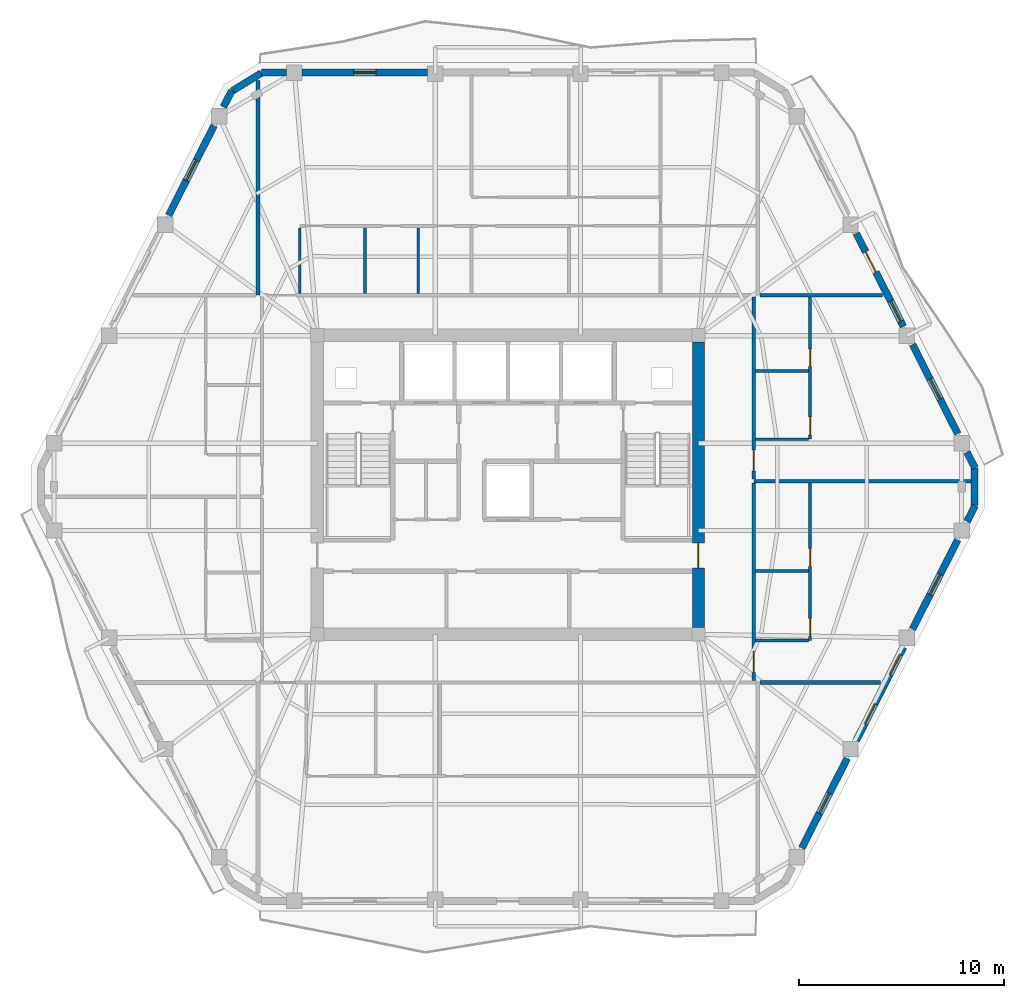
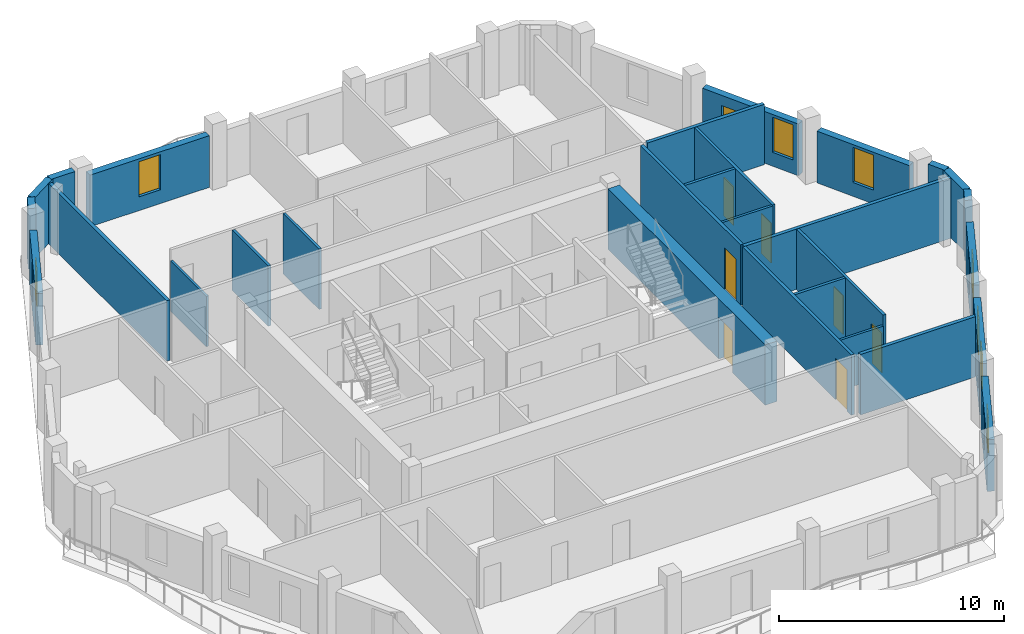
# One storey, part 6 of 10: 29 walls, 8 doors, 8 windows, 16 openings.
"""IFC4 building model written with IfcOpenShell, lengths in metres."""

from ifc_helpers import new_model, si_unit, direction, frame, frame_2d, origin, place, context, subcontext, project, spatial, rectangle, extrude, material, layer, layer_set, type_object, element, fill, save


model = new_model("IFC4")

# Units and contexts
model_context = context("Model", 3, precision=1e-05, world=origin(), true_north=direction((0.0, 1.0)))
body_context = subcontext(model_context, "Body", "Model", "MODEL_VIEW")
ifc_project = project(units=[si_unit("LENGTHUNIT", "METRE"), si_unit("AREAUNIT", "SQUARE_METRE"), si_unit("VOLUMEUNIT", "CUBIC_METRE"), si_unit("PLANEANGLEUNIT", "RADIAN"), si_unit("MASSUNIT", "GRAM", prefix="KILO")], contexts=[model_context])

# Site, building, storey
site_placement = place(None, origin())
site = spatial("IfcSite", under=ifc_project, at=site_placement, CompositionType="ELEMENT")
building_placement = place(site_placement, origin())
building = spatial("IfcBuilding", under=site, at=building_placement, Name="Cinnabar Lancet Tower", CompositionType="ELEMENT")
storey_placement = place(building_placement, frame((0.0, 0.0, 218.050048828125)))
storey = spatial("IfcBuildingStorey", under=building, at=storey_placement, Name="L58", CompositionType="ELEMENT", Elevation=218.050048828125)

# Wall, opening, door
ifc_material_1 = material(Name="Acoustic twin-stud gypsum partition", Category="gypsum")
ifc_layer_1 = layer(ifc_material_1, 0.159912109375)
ifc_layer_set_1 = layer_set([ifc_layer_1], Name="Acoustic twin-stud gypsum partition")
wall_type_1 = type_object("IfcWallType", Name="ARC-WL-CORR-160", PredefinedType="PARTITIONING", material=ifc_layer_set_1)
wall_1_placement = place(storey_placement, frame((44.39990234375, 16.344970703125, 0.0), z_axis=(0.0, 0.0, 1.0), x_axis=(0.0, 1.0, 0.0)))
wall_1 = element("IfcWall", 1, at=wall_1_placement, inside=storey, type_object=wall_type_1, Name="UW-L58-E01-COR", PredefinedType="PARTITIONING", context=body_context, shape_type="SweptSolid", body=[
    extrude(rectangle(XDim=9.637939453125, YDim=0.159912109375, at=frame_2d((4.81884765625, 0.0))), origin(), (0.0, 0.0, 1.0), 3.27001953125),
])
opening_1_placement = place(wall_1_placement, frame((0.39990234375, 0.0, 0.0)))
opening_1 = element("IfcOpeningElement", 2, at=opening_1_placement, cuts=wall_1, Name="Opening UD-01", PredefinedType="OPENING", context=body_context, shape_type="SweptSolid", body=[
    extrude(rectangle(XDim=1.02001953125, YDim=2.25, at=frame_2d((0.510009765625, 1.125))), frame((0.0, 0.08984375, 0.0), z_axis=(0.0, -1.0, 0.0), x_axis=(1.0, 0.0, 0.0)), (0.0, 0.0, 1.0), 0.179931640625),
])
ifc_material_2 = material(Name="Solid timber fire-rated apartment entrance door", Category="wood")
door_type_1 = type_object("IfcDoorType", Name="ARC-DR-UNIT", OperationType="NOTDEFINED", PredefinedType="DOOR", material=ifc_material_2)
door_1_placement = place(opening_1_placement, origin())
door_1 = element("IfcDoor", 3, at=door_1_placement, inside=storey, type_object=door_type_1, Name="DR-L58-E01-ENT", OperationType="SINGLE_SWING_RIGHT", OverallHeight=2.25, OverallWidth=1.02001953125, PredefinedType="DOOR", context=body_context, shape_type="SweptSolid", body=[
    extrude(rectangle(XDim=1.02001953125, YDim=2.25, at=frame_2d((0.510009765625, 1.125))), frame((0.0, 0.02490234375, 0.0), z_axis=(0.0, -1.0, 0.0), x_axis=(1.0, 0.0, 0.0)), (0.0, 0.0, 1.0), 0.050048828125),
])
fill(opening_1, door_1)

wall_2_placement = place(storey_placement, frame((44.39990234375, 26.173095703125, 0.0), z_axis=(0.0, 0.0, 1.0), x_axis=(0.0, 1.0, 0.0)))
wall_2 = element("IfcWall", 4, at=wall_2_placement, inside=storey, type_object=wall_type_1, Name="UW-L58-E02-COR", PredefinedType="PARTITIONING", context=body_context, shape_type="SweptSolid", body=[
    extrude(rectangle(XDim=8.8818359375, YDim=0.159912109375, at=frame_2d((4.44091796875, 0.0))), origin(), (0.0, 0.0, 1.0), 3.27001953125),
])
opening_2_placement = place(wall_2_placement, frame((0.39990234375, 0.0, 0.0)))
opening_2 = element("IfcOpeningElement", 5, at=opening_2_placement, cuts=wall_2, Name="Opening UD-01", PredefinedType="OPENING", context=body_context, shape_type="SweptSolid", body=[
    extrude(rectangle(XDim=1.02001953125, YDim=2.25, at=frame_2d((0.510009765625, 1.125))), frame((0.0, 0.08984375, 0.0), z_axis=(0.0, -1.0, 0.0), x_axis=(1.0, 0.0, 0.0)), (0.0, 0.0, 1.0), 0.179931640625),
])
door_2_placement = place(opening_2_placement, origin())
door_2 = element("IfcDoor", 6, at=door_2_placement, inside=storey, type_object=door_type_1, Name="DR-L58-E02-ENT", OperationType="SINGLE_SWING_LEFT", OverallHeight=2.25, OverallWidth=1.02001953125, PredefinedType="DOOR", context=body_context, shape_type="SweptSolid", body=[
    extrude(rectangle(XDim=1.02001953125, YDim=2.25, at=frame_2d((0.510009765625, 1.125))), frame((0.0, 0.02490234375, 0.0), z_axis=(0.0, -1.0, 0.0), x_axis=(1.0, 0.0, 0.0)), (0.0, 0.0, 1.0), 0.050048828125),
])
fill(opening_2, door_2)

# Walls
ifc_material_3 = material(Name="Fire-rated twin-frame acoustic drywall", Category="gypsum")
ifc_layer_2 = layer(ifc_material_3, 0.179931640625)
ifc_layer_set_2 = layer_set([ifc_layer_2], Name="Fire-rated twin-frame acoustic drywall")
wall_type_2 = type_object("IfcWallType", Name="ARC-WL-PARTY-180", PredefinedType="PARTITIONING", material=ifc_layer_set_2)
wall_3_placement = place(storey_placement, frame((20.199951171875, 35.14990234375, 0.0), z_axis=(0.0, 0.0, 1.0), x_axis=(0.0, 1.0, 0.0)))
element("IfcWall", 7, at=wall_3_placement, inside=storey, type_object=wall_type_2, Name="PW-L58-NPTY-202", PredefinedType="PARTITIONING", context=body_context, shape_type="SweptSolid", body=[
    extrude(rectangle(XDim=10.482177734375, YDim=0.179931640625, at=frame_2d((5.2412109375, 0.0))), origin(), (0.0, 0.0, 1.0), 3.27001953125),
])
wall_4_placement = place(storey_placement, frame((44.695068359375, 16.25, 0.0), z_axis=(0.0, 0.0, 1.0), x_axis=(1.0, 0.0, 0.0)))
element("IfcWall", 8, at=wall_4_placement, inside=storey, type_object=wall_type_2, Name="PW-L58-ESB", PredefinedType="PARTITIONING", context=body_context, shape_type="SweptSolid", body=[
    extrude(rectangle(XDim=5.89404296875, YDim=0.179931640625, at=frame_2d((2.947021484375, 0.0))), origin(), (0.0, 0.0, 1.0), 3.27001953125),
])
wall_5_placement = place(storey_placement, frame((44.695068359375, 35.14990234375, 0.0), z_axis=(0.0, 0.0, 1.0), x_axis=(1.0, 0.0, 0.0)))
element("IfcWall", 9, at=wall_5_placement, inside=storey, type_object=wall_type_2, Name="PW-L58-ENB", PredefinedType="PARTITIONING", context=body_context, shape_type="SweptSolid", body=[
    extrude(rectangle(XDim=5.994873046875, YDim=0.179931640625, at=frame_2d((2.99755859375, 0.0))), origin(), (0.0, 0.0, 1.0), 3.27001953125),
])
wall_6_placement = place(storey_placement, frame((44.39990234375, 26.077880859375, 0.0), z_axis=(0.0, 0.0, 1.0), x_axis=(1.0, 0.0, 0.0)))
element("IfcWall", 10, at=wall_6_placement, inside=storey, type_object=wall_type_2, Name="PW-L58-EPTY-1", PredefinedType="PARTITIONING", context=body_context, shape_type="SweptSolid", body=[
    extrude(rectangle(XDim=10.60302734375, YDim=0.179931640625, at=frame_2d((5.301513671875, 0.0))), origin(), (0.0, 0.0, 1.0), 3.27001953125),
])
ifc_material_4 = material(Name="Gypsum plasterboard stud partition", Category="gypsum")
ifc_layer_3 = layer(ifc_material_4, 0.125)
ifc_layer_set_3 = layer_set([ifc_layer_3], Name="Gypsum plasterboard stud partition")
wall_type_3 = type_object("IfcWallType", Name="ARC-WL-UNIT-125", PredefinedType="PARTITIONING", material=ifc_layer_set_3)
wall_7_placement = place(storey_placement, frame((22.25, 35.235107421875, 0.0), z_axis=(0.0, 0.0, 1.0), x_axis=(0.0, 1.0, 0.0)))
element("IfcWall", 11, at=wall_7_placement, inside=storey, type_object=wall_type_3, Name="UW-L58-N01-FOYE", PredefinedType="PARTITIONING", context=body_context, shape_type="SweptSolid", body=[
    extrude(rectangle(XDim=3.19384765625, YDim=0.125, at=frame_2d((1.596923828125, 0.0))), origin(), (0.0, 0.0, 1.0), 2.72705078125),
])
wall_8_placement = place(storey_placement, frame((28.027099609375, 35.235107421875, 0.0), z_axis=(0.0, 0.0, 1.0), x_axis=(0.0, 1.0, 0.0)))
element("IfcWall", 12, at=wall_8_placement, inside=storey, type_object=wall_type_3, Name="UW-L58-N01-STD", PredefinedType="PARTITIONING", context=body_context, shape_type="SweptSolid", body=[
    extrude(rectangle(XDim=3.19384765625, YDim=0.125, at=frame_2d((1.596923828125, 0.0))), origin(), (0.0, 0.0, 1.0), 3.27001953125),
])
wall_9_placement = place(storey_placement, frame((44.485107421875, 18.300048828125, 0.0), z_axis=(0.0, 0.0, 1.0), x_axis=(1.0, 0.0, 0.0)))
element("IfcWall", 13, at=wall_9_placement, inside=storey, type_object=wall_type_3, Name="UW-L58-E01-FOYN", PredefinedType="PARTITIONING", context=body_context, shape_type="SweptSolid", body=[
    extrude(rectangle(XDim=2.579833984375, YDim=0.125, at=frame_2d((1.2900390625, 0.0))), origin(), (0.0, 0.0, 1.0), 2.72705078125),
])
wall_10_placement = place(storey_placement, frame((44.485107421875, 28.1279296875, 0.0), z_axis=(0.0, 0.0, 1.0), x_axis=(1.0, 0.0, 0.0)))
element("IfcWall", 14, at=wall_10_placement, inside=storey, type_object=wall_type_3, Name="UW-L58-E02-FOYN", PredefinedType="PARTITIONING", context=body_context, shape_type="SweptSolid", body=[
    extrude(rectangle(XDim=2.579833984375, YDim=0.125, at=frame_2d((1.2900390625, 0.0))), origin(), (0.0, 0.0, 1.0), 3.27001953125),
])
ifc_material_5 = material(Name="Moisture-resistant cement-board plumbing wall", Category="masonry")
ifc_layer_4 = layer(ifc_material_5, 0.139892578125)
ifc_layer_set_4 = layer_set([ifc_layer_4], Name="Moisture-resistant cement-board plumbing wall")
wall_type_4 = type_object("IfcWallType", Name="ARC-WL-WET-140", PredefinedType="PLUMBINGWALL", material=ifc_layer_set_4)
wall_11_placement = place(storey_placement, frame((25.430908203125, 35.235107421875, 0.0), z_axis=(0.0, 0.0, 1.0), x_axis=(0.0, 1.0, 0.0)))
element("IfcWall", 15, at=wall_11_placement, inside=storey, type_object=wall_type_4, Name="UW-L58-N01-KDV", PredefinedType="PLUMBINGWALL", context=body_context, shape_type="SweptSolid", body=[
    extrude(rectangle(XDim=3.19384765625, YDim=0.139892578125, at=frame_2d((1.596923828125, 0.0))), origin(), (0.0, 0.0, 1.0), 3.27001953125),
])

# Wall, openings, doors
wall_12_placement = place(storey_placement, frame((47.14990234375, 18.300048828125, 0.0), z_axis=(0.0, 0.0, 1.0), x_axis=(0.0, 1.0, 0.0)))
wall_12 = element("IfcWall", 16, at=wall_12_placement, inside=storey, type_object=wall_type_4, Name="UW-L58-E01-SPL", PredefinedType="PLUMBINGWALL", context=body_context, shape_type="SweptSolid", body=[
    extrude(rectangle(XDim=7.682861328125, YDim=0.139892578125, at=frame_2d((3.84130859375, 0.0))), origin(), (0.0, 0.0, 1.0), 3.27001953125),
])
opening_3_placement = place(wall_12_placement, frame((3.6201171875, 0.0, 0.0)))
opening_3 = element("IfcOpeningElement", 17, at=opening_3_placement, cuts=wall_12, Name="Opening BD-01", PredefinedType="OPENING", context=body_context, shape_type="SweptSolid", body=[
    extrude(rectangle(XDim=0.860107421875, YDim=2.10009765625, at=frame_2d((0.43017578125, 1.050048828125))), frame((0.0, 0.079833984375, 0.0), z_axis=(0.0, -1.0, 0.0), x_axis=(1.0, 0.0, 0.0)), (0.0, 0.0, 1.0), 0.159912109375),
])
opening_4_placement = place(wall_12_placement, frame((0.199951171875, 0.0, 0.0)))
opening_4 = element("IfcOpeningElement", 18, at=opening_4_placement, cuts=wall_12, Name="Opening RD-02", PredefinedType="OPENING", context=body_context, shape_type="SweptSolid", body=[
    extrude(rectangle(XDim=0.8798828125, YDim=2.14990234375, at=frame_2d((0.43994140625, 1.074951171875))), frame((0.0, 0.079833984375, 0.0), z_axis=(0.0, -1.0, 0.0), x_axis=(1.0, 0.0, 0.0)), (0.0, 0.0, 1.0), 0.159912109375),
])
ifc_material_6 = material(Name="Moisture-resistant timber bathroom door", Category="wood")
door_type_2 = type_object("IfcDoorType", Name="ARC-DR-BATH", OperationType="NOTDEFINED", PredefinedType="DOOR", material=ifc_material_6)
door_3_placement = place(opening_3_placement, origin())
door_3 = element("IfcDoor", 19, at=door_3_placement, inside=storey, type_object=door_type_2, Name="DR-L58-E01-BTH", OperationType="SINGLE_SWING_RIGHT", OverallHeight=2.10009765625, OverallWidth=0.860107421875, PredefinedType="DOOR", context=body_context, shape_type="SweptSolid", body=[
    extrude(rectangle(XDim=0.860107421875, YDim=2.10009765625, at=frame_2d((0.43017578125, 1.050048828125))), frame((0.0, 0.02490234375, 0.0), z_axis=(0.0, -1.0, 0.0), x_axis=(1.0, 0.0, 0.0)), (0.0, 0.0, 1.0), 0.050048828125),
])
fill(opening_3, door_3)
ifc_material_7 = material(Name="Engineered timber study door", Category="wood")
door_type_3 = type_object("IfcDoorType", Name="ARC-DR-STUDY", OperationType="NOTDEFINED", PredefinedType="DOOR", material=ifc_material_7)
door_4_placement = place(opening_4_placement, origin())
door_4 = element("IfcDoor", 20, at=door_4_placement, inside=storey, type_object=door_type_3, Name="DR-L58-E01-KIT", OperationType="SINGLE_SWING_LEFT", OverallHeight=2.14990234375, OverallWidth=0.8798828125, PredefinedType="DOOR", context=body_context, shape_type="SweptSolid", body=[
    extrude(rectangle(XDim=0.8798828125, YDim=2.14990234375, at=frame_2d((0.43994140625, 1.074951171875))), frame((0.0, 0.02490234375, 0.0), z_axis=(0.0, -1.0, 0.0), x_axis=(1.0, 0.0, 0.0)), (0.0, 0.0, 1.0), 0.050048828125),
])
fill(opening_4, door_4)

# Wall
wall_13_placement = place(storey_placement, frame((44.485107421875, 21.699951171875, 0.0), z_axis=(0.0, 0.0, 1.0), x_axis=(1.0, 0.0, 0.0)))
element("IfcWall", 21, at=wall_13_placement, inside=storey, type_object=wall_type_4, Name="UW-L58-E01-KDV", PredefinedType="PLUMBINGWALL", context=body_context, shape_type="SweptSolid", body=[
    extrude(rectangle(XDim=2.579833984375, YDim=0.139892578125, at=frame_2d((1.2900390625, 0.0))), origin(), (0.0, 0.0, 1.0), 3.27001953125),
])

# Wall, openings, doors
wall_14_placement = place(storey_placement, frame((47.14990234375, 28.1279296875, 0.0), z_axis=(0.0, 0.0, 1.0), x_axis=(0.0, 1.0, 0.0)))
wall_14 = element("IfcWall", 22, at=wall_14_placement, inside=storey, type_object=wall_type_4, Name="UW-L58-E02-SPL", PredefinedType="PLUMBINGWALL", context=body_context, shape_type="SweptSolid", body=[
    extrude(rectangle(XDim=6.927001953125, YDim=0.139892578125, at=frame_2d((3.46337890625, 0.0))), origin(), (0.0, 0.0, 1.0), 3.27001953125),
])
opening_5_placement = place(wall_14_placement, frame((3.544921875, 0.0, 0.0)))
opening_5 = element("IfcOpeningElement", 23, at=opening_5_placement, cuts=wall_14, Name="Opening BD-01", PredefinedType="OPENING", context=body_context, shape_type="SweptSolid", body=[
    extrude(rectangle(XDim=0.860107421875, YDim=2.10009765625, at=frame_2d((0.43017578125, 1.050048828125))), frame((0.0, 0.079833984375, 0.0), z_axis=(0.0, -1.0, 0.0), x_axis=(1.0, 0.0, 0.0)), (0.0, 0.0, 1.0), 0.159912109375),
])
opening_6_placement = place(wall_14_placement, frame((0.199951171875, 0.0, 0.0)))
opening_6 = element("IfcOpeningElement", 24, at=opening_6_placement, cuts=wall_14, Name="Opening RD-02", PredefinedType="OPENING", context=body_context, shape_type="SweptSolid", body=[
    extrude(rectangle(XDim=0.8798828125, YDim=2.14990234375, at=frame_2d((0.43994140625, 1.074951171875))), frame((0.0, 0.079833984375, 0.0), z_axis=(0.0, -1.0, 0.0), x_axis=(1.0, 0.0, 0.0)), (0.0, 0.0, 1.0), 0.159912109375),
])
door_5_placement = place(opening_5_placement, origin())
door_5 = element("IfcDoor", 25, at=door_5_placement, inside=storey, type_object=door_type_2, Name="DR-L58-E02-BTH", OperationType="SINGLE_SWING_LEFT", OverallHeight=2.10009765625, OverallWidth=0.860107421875, PredefinedType="DOOR", context=body_context, shape_type="SweptSolid", body=[
    extrude(rectangle(XDim=0.860107421875, YDim=2.10009765625, at=frame_2d((0.43017578125, 1.050048828125))), frame((0.0, 0.02490234375, 0.0), z_axis=(0.0, -1.0, 0.0), x_axis=(1.0, 0.0, 0.0)), (0.0, 0.0, 1.0), 0.050048828125),
])
fill(opening_5, door_5)
door_6_placement = place(opening_6_placement, origin())
door_6 = element("IfcDoor", 26, at=door_6_placement, inside=storey, type_object=door_type_3, Name="DR-L58-E02-KIT", OperationType="SINGLE_SWING_RIGHT", OverallHeight=2.14990234375, OverallWidth=0.8798828125, PredefinedType="DOOR", context=body_context, shape_type="SweptSolid", body=[
    extrude(rectangle(XDim=0.8798828125, YDim=2.14990234375, at=frame_2d((0.43994140625, 1.074951171875))), frame((0.0, 0.02490234375, 0.0), z_axis=(0.0, -1.0, 0.0), x_axis=(1.0, 0.0, 0.0)), (0.0, 0.0, 1.0), 0.050048828125),
])
fill(opening_6, door_6)

# Walls
wall_15_placement = place(storey_placement, frame((44.485107421875, 31.452880859375, 0.0), z_axis=(0.0, 0.0, 1.0), x_axis=(1.0, 0.0, 0.0)))
element("IfcWall", 27, at=wall_15_placement, inside=storey, type_object=wall_type_4, Name="UW-L58-E02-KDV", PredefinedType="PLUMBINGWALL", context=body_context, shape_type="SweptSolid", body=[
    extrude(rectangle(XDim=2.579833984375, YDim=0.139892578125, at=frame_2d((1.2900390625, 0.0))), origin(), (0.0, 0.0, 1.0), 3.27001953125),
])
ifc_material_8 = material(Name="Cinnabar red clay brick", Category="masonry")
ifc_layer_5 = layer(ifc_material_8, 0.340087890625)
ifc_layer_set_5 = layer_set([ifc_layer_5], Name="Cinnabar red clay brick")
wall_type_5 = type_object("IfcWallType", Name="ENV-WL-BRK-RED-340", PredefinedType="STANDARD", material=ifc_layer_set_5)
wall_16_placement = place(storey_placement, frame((55.177978515625, 24.89208984375, 0.0), z_axis=(0.0, 0.0, 1.0), x_axis=(0.0, 1.0, 0.0)))
element("IfcWall", 28, at=wall_16_placement, inside=storey, type_object=wall_type_5, Name="L58 Chamfered Corner Brick Pier 3.1", PredefinedType="STANDARD", context=body_context, shape_type="SweptSolid", body=[
    extrude(rectangle(XDim=1.81591796875, YDim=0.340087890625, at=frame_2d((0.907958984375, 0.0))), origin(), (0.0, 0.0, 1.0), 3.27001953125),
])
wall_17_placement = place(storey_placement, frame((20.366943359375, 45.9951171875, 0.0), z_axis=(0.0, 0.0, 1.0), x_axis=(-0.851713271379, -0.524008113828, 0.0)))
element("IfcWall", 29, at=wall_17_placement, inside=storey, type_object=wall_type_5, Name="L58 Chamfered Corner Brick Pier 5.1", PredefinedType="STANDARD", context=body_context, shape_type="SweptSolid", body=[
    extrude(rectangle(XDim=1.677734375, YDim=0.340087890625, at=frame_2d((0.8388671875, 0.0))), origin(), (0.0, 0.0, 1.0), 3.27001953125),
])

# Wall, opening, window
wall_18_placement = place(storey_placement, frame((46.739990234375, 8.1640625, 0.0), z_axis=(0.0, 0.0, 1.0), x_axis=(0.451544279509, 0.892248711763, 0.0)))
wall_18 = element("IfcWall", 30, at=wall_18_placement, inside=storey, type_object=wall_type_5, Name="L58 Face 2 Masonry Bay Wall 2", PredefinedType="STANDARD", context=body_context, shape_type="SweptSolid", body=[
    extrude(rectangle(XDim=4.909912109375, YDim=0.340087890625, at=frame_2d((2.455078125, 0.0))), origin(), (0.0, 0.0, 1.0), 2.802978515625),
])
opening_7_placement = place(wall_18_placement, frame((1.905029296875, 0.0, 0.75)))
opening_7 = element("IfcOpeningElement", 31, at=opening_7_placement, cuts=wall_18, Name="Opening WN-04", PredefinedType="OPENING", context=body_context, shape_type="SweptSolid", body=[
    extrude(rectangle(XDim=1.10009765625, YDim=1.903076171875, at=frame_2d((0.550048828125, 0.95166015625))), frame((0.0, 0.179931640625, 0.0), z_axis=(0.0, -1.0, 0.0), x_axis=(1.0, 0.0, 0.0)), (0.0, 0.0, 1.0), 0.360107421875),
])
ifc_material_9 = material(Name="Thermally broken bronze-anodized aluminium tall lancet window", Category="aluminium")
window_type = type_object("IfcWindowType", Name="ENV-WN-LANCET-1100", PartitioningType="SINGLE_PANEL", PredefinedType="WINDOW", material=ifc_material_9)
window_1_placement = place(opening_7_placement, origin())
window_1 = element("IfcWindow", 32, at=window_1_placement, inside=storey, type_object=window_type, Name="L58 Face 2 Gothic Lancet Window 2", OverallHeight=1.903076171875, OverallWidth=1.10009765625, PartitioningType="SINGLE_PANEL", PredefinedType="WINDOW", context=body_context, shape_type="SweptSolid", body=[
    extrude(rectangle(XDim=1.10009765625, YDim=1.903076171875, at=frame_2d((0.550048828125, 0.95166015625))), frame((0.0, 0.030029296875, 0.0), z_axis=(0.0, -1.0, 0.0), x_axis=(1.0, 0.0, 0.0)), (0.0, 0.0, 1.0), 0.06005859375),
])
fill(opening_7, window_1)

# Wall, openings, windows
wall_19_placement = place(storey_placement, frame((49.403076171875, 13.427001953125, 0.0), z_axis=(0.0, 0.0, 1.0), x_axis=(0.451425765525, 0.892308678777, 0.0)))
wall_19 = element("IfcWall", 33, at=wall_19_placement, inside=storey, type_object=wall_type_5, Name="L58 Face 2 Masonry Bay Wall 3", PredefinedType="STANDARD", context=body_context, shape_type="SweptSolid", body=[
    extrude(rectangle(XDim=5.094482421875, YDim=0.340087890625, at=frame_2d((2.54736328125, 0.0))), origin(), (0.0, 0.0, 1.0), 2.802978515625),
])
opening_8_placement = place(wall_19_placement, frame((0.902099609375, 0.0, 0.75)))
opening_8 = element("IfcOpeningElement", 34, at=opening_8_placement, cuts=wall_19, Name="Opening WN-04", PredefinedType="OPENING", context=body_context, shape_type="SweptSolid", body=[
    extrude(rectangle(XDim=1.10009765625, YDim=1.903076171875, at=frame_2d((0.550048828125, 0.95166015625))), frame((0.0, 0.179931640625, 0.0), z_axis=(0.0, -1.0, 0.0), x_axis=(1.0, 0.0, 0.0)), (0.0, 0.0, 1.0), 0.360107421875),
])
opening_9_placement = place(wall_19_placement, frame((3.60009765625, 0.0, 0.75)))
opening_9 = element("IfcOpeningElement", 35, at=opening_9_placement, cuts=wall_19, Name="Opening WN-04", PredefinedType="OPENING", context=body_context, shape_type="SweptSolid", body=[
    extrude(rectangle(XDim=1.10009765625, YDim=1.903076171875, at=frame_2d((0.550048828125, 0.95166015625))), frame((0.0, 0.179931640625, 0.0), z_axis=(0.0, -1.0, 0.0), x_axis=(1.0, 0.0, 0.0)), (0.0, 0.0, 1.0), 0.360107421875),
])
window_2_placement = place(opening_8_placement, origin())
window_2 = element("IfcWindow", 36, at=window_2_placement, inside=storey, type_object=window_type, Name="L58 Face 2 Gothic Lancet Window 3", OverallHeight=1.903076171875, OverallWidth=1.10009765625, PartitioningType="SINGLE_PANEL", PredefinedType="WINDOW", context=body_context, shape_type="SweptSolid", body=[
    extrude(rectangle(XDim=1.10009765625, YDim=1.903076171875, at=frame_2d((0.550048828125, 0.95166015625))), frame((0.0, 0.030029296875, 0.0), z_axis=(0.0, -1.0, 0.0), x_axis=(1.0, 0.0, 0.0)), (0.0, 0.0, 1.0), 0.06005859375),
])
fill(opening_8, window_2)
window_3_placement = place(opening_9_placement, origin())
window_3 = element("IfcWindow", 37, at=window_3_placement, inside=storey, type_object=window_type, Name="L58 Split-Bay Gothic Lancet Window 202", OverallHeight=1.903076171875, OverallWidth=1.10009765625, PartitioningType="SINGLE_PANEL", PredefinedType="WINDOW", context=body_context, shape_type="SweptSolid", body=[
    extrude(rectangle(XDim=1.10009765625, YDim=1.903076171875, at=frame_2d((0.550048828125, 0.95166015625))), frame((0.0, 0.030029296875, 0.0), z_axis=(0.0, -1.0, 0.0), x_axis=(1.0, 0.0, 0.0)), (0.0, 0.0, 1.0), 0.06005859375),
])
fill(opening_9, window_3)

# Wall, opening, window
wall_20_placement = place(storey_placement, frame((52.14697265625, 18.85302734375, 0.0), z_axis=(0.0, 0.0, 1.0), x_axis=(0.451566029745, 0.892237704191, 0.0)))
wall_20 = element("IfcWall", 38, at=wall_20_placement, inside=storey, type_object=wall_type_5, Name="L58 Face 2 Masonry Bay Wall 4", PredefinedType="STANDARD", context=body_context, shape_type="SweptSolid", body=[
    extrude(rectangle(XDim=4.88525390625, YDim=0.340087890625, at=frame_2d((2.442626953125, 0.0))), origin(), (0.0, 0.0, 1.0), 2.802978515625),
])
opening_10_placement = place(wall_20_placement, frame((1.89306640625, 0.0, 0.75)))
opening_10 = element("IfcOpeningElement", 39, at=opening_10_placement, cuts=wall_20, Name="Opening WN-04", PredefinedType="OPENING", context=body_context, shape_type="SweptSolid", body=[
    extrude(rectangle(XDim=1.10009765625, YDim=1.903076171875, at=frame_2d((0.550048828125, 0.95166015625))), frame((0.0, 0.179931640625, 0.0), z_axis=(0.0, -1.0, 0.0), x_axis=(1.0, 0.0, 0.0)), (0.0, 0.0, 1.0), 0.360107421875),
])
window_4_placement = place(opening_10_placement, origin())
window_4 = element("IfcWindow", 40, at=window_4_placement, inside=storey, type_object=window_type, Name="L58 Face 2 Gothic Lancet Window 4", OverallHeight=1.903076171875, OverallWidth=1.10009765625, PartitioningType="SINGLE_PANEL", PredefinedType="WINDOW", context=body_context, shape_type="SweptSolid", body=[
    extrude(rectangle(XDim=1.10009765625, YDim=1.903076171875, at=frame_2d((0.550048828125, 0.95166015625))), frame((0.0, 0.030029296875, 0.0), z_axis=(0.0, -1.0, 0.0), x_axis=(1.0, 0.0, 0.0)), (0.0, 0.0, 1.0), 0.06005859375),
])
fill(opening_10, window_4)

# Walls
wall_21_placement = place(storey_placement, frame((54.805908203125, 24.10693359375, 0.0), z_axis=(0.0, 0.0, 1.0), x_axis=(0.450906649871, 0.892571113751, 0.0)))
element("IfcWall", 41, at=wall_21_placement, inside=storey, type_object=wall_type_5, Name="L58 Face 2 Masonry Bay Wall 5", PredefinedType="STANDARD", context=body_context, shape_type="SweptSolid", body=[
    extrude(rectangle(XDim=0.871826171875, YDim=0.340087890625, at=frame_2d((0.43603515625, 0.0))), origin(), (0.0, 0.0, 1.0), 3.27001953125),
])
wall_22_placement = place(storey_placement, frame((55.198974609375, 26.715087890625, 0.0), z_axis=(0.0, 0.0, 1.0), x_axis=(-0.451019391667, 0.892514150218, 0.0)))
element("IfcWall", 42, at=wall_22_placement, inside=storey, type_object=wall_type_5, Name="L58 Face 3 Masonry Bay Wall 1", PredefinedType="STANDARD", context=body_context, shape_type="SweptSolid", body=[
    extrude(rectangle(XDim=0.87158203125, YDim=0.340087890625, at=frame_2d((0.435791015625, 0.0))), origin(), (0.0, 0.0, 1.0), 3.27001953125),
])

# Wall, opening, window
wall_23_placement = place(storey_placement, frame((54.35302734375, 28.387939453125, 0.0), z_axis=(0.0, 0.0, 1.0), x_axis=(-0.451545895749, 0.892247893824, 0.0)))
wall_23 = element("IfcWall", 43, at=wall_23_placement, inside=storey, type_object=wall_type_5, Name="L58 Face 3 Masonry Bay Wall 2", PredefinedType="STANDARD", context=body_context, shape_type="SweptSolid", body=[
    extrude(rectangle(XDim=4.885498046875, YDim=0.340087890625, at=frame_2d((2.44287109375, 0.0))), origin(), (0.0, 0.0, 1.0), 2.802978515625),
])
opening_11_placement = place(wall_23_placement, frame((1.89306640625, 0.0, 0.75)))
opening_11 = element("IfcOpeningElement", 44, at=opening_11_placement, cuts=wall_23, Name="Opening WN-04", PredefinedType="OPENING", context=body_context, shape_type="SweptSolid", body=[
    extrude(rectangle(XDim=1.10009765625, YDim=1.903076171875, at=frame_2d((0.550048828125, 0.95166015625))), frame((0.0, 0.179931640625, 0.0), z_axis=(0.0, -1.0, 0.0), x_axis=(1.0, 0.0, 0.0)), (0.0, 0.0, 1.0), 0.360107421875),
])
window_5_placement = place(opening_11_placement, origin())
window_5 = element("IfcWindow", 45, at=window_5_placement, inside=storey, type_object=window_type, Name="L58 Face 3 Gothic Lancet Window 2", OverallHeight=1.903076171875, OverallWidth=1.10009765625, PartitioningType="SINGLE_PANEL", PredefinedType="WINDOW", context=body_context, shape_type="SweptSolid", body=[
    extrude(rectangle(XDim=1.10009765625, YDim=1.903076171875, at=frame_2d((0.550048828125, 0.95166015625))), frame((0.0, 0.030029296875, 0.0), z_axis=(0.0, -1.0, 0.0), x_axis=(1.0, 0.0, 0.0)), (0.0, 0.0, 1.0), 0.06005859375),
])
fill(opening_11, window_5)

# Wall, openings, door, window
wall_24_placement = place(storey_placement, frame((51.702880859375, 33.626953125, 0.0), z_axis=(0.0, 0.0, 1.0), x_axis=(-0.451406462707, 0.892318443957, 0.0)))
wall_24 = element("IfcWall", 46, at=wall_24_placement, inside=storey, type_object=wall_type_5, Name="L58 Face 3 Masonry Bay Wall 3", PredefinedType="STANDARD", context=body_context, shape_type="SweptSolid", body=[
    extrude(rectangle(XDim=5.0947265625, YDim=0.340087890625, at=frame_2d((2.54736328125, 0.0))), origin(), (0.0, 0.0, 1.0), 2.802978515625),
])
opening_12_placement = place(wall_24_placement, frame((2.97607421875, 0.0, 0.0)))
opening_12 = element("IfcOpeningElement", 47, at=opening_12_placement, cuts=wall_24, Name="Opening TD-01", PredefinedType="OPENING", context=body_context, shape_type="SweptSolid", body=[
    extrude(rectangle(XDim=1.10009765625, YDim=2.25, at=frame_2d((0.550048828125, 1.125))), frame((0.0, 0.179931640625, 0.0), z_axis=(0.0, -1.0, 0.0), x_axis=(1.0, 0.0, 0.0)), (0.0, 0.0, 1.0), 0.360107421875),
])
opening_13_placement = place(wall_24_placement, frame((0.282958984375, 0.0, 0.75)))
opening_13 = element("IfcOpeningElement", 48, at=opening_13_placement, cuts=wall_24, Name="Opening WN-04", PredefinedType="OPENING", context=body_context, shape_type="SweptSolid", body=[
    extrude(rectangle(XDim=1.10009765625, YDim=1.903076171875, at=frame_2d((0.550048828125, 0.95166015625))), frame((0.0, 0.179931640625, 0.0), z_axis=(0.0, -1.0, 0.0), x_axis=(1.0, 0.0, 0.0)), (0.0, 0.0, 1.0), 0.360107421875),
])
ifc_material_10 = material(Name="Thermally broken low-E glazed balcony terrace door", Category="wood")
door_type_4 = type_object("IfcDoorType", Name="ARC-DR-BALC", OperationType="NOTDEFINED", PredefinedType="DOOR", material=ifc_material_10)
door_7_placement = place(opening_12_placement, origin())
door_7 = element("IfcDoor", 49, at=door_7_placement, inside=storey, type_object=door_type_4, Name="L58 Face 3 Glazed Terrace Door", OperationType="SINGLE_SWING_RIGHT", OverallHeight=2.25, OverallWidth=1.10009765625, PredefinedType="DOOR", context=body_context, shape_type="SweptSolid", body=[
    extrude(rectangle(XDim=1.10009765625, YDim=2.25, at=frame_2d((0.550048828125, 1.125))), frame((0.0, 0.02490234375, 0.0), z_axis=(0.0, -1.0, 0.0), x_axis=(1.0, 0.0, 0.0)), (0.0, 0.0, 1.0), 0.050048828125),
])
fill(opening_12, door_7)
window_6_placement = place(opening_13_placement, origin())
window_6 = element("IfcWindow", 50, at=window_6_placement, inside=storey, type_object=window_type, Name="L58 Split-Bay Gothic Lancet Window 203", OverallHeight=1.903076171875, OverallWidth=1.10009765625, PartitioningType="SINGLE_PANEL", PredefinedType="WINDOW", context=body_context, shape_type="SweptSolid", body=[
    extrude(rectangle(XDim=1.10009765625, YDim=1.903076171875, at=frame_2d((0.550048828125, 0.95166015625))), frame((0.0, 0.030029296875, 0.0), z_axis=(0.0, -1.0, 0.0), x_axis=(1.0, 0.0, 0.0)), (0.0, 0.0, 1.0), 0.06005859375),
])
fill(opening_13, window_6)

# Wall, opening, window
wall_25_placement = place(storey_placement, frame((28.47802734375, 46.02001953125, 0.0), z_axis=(0.0, 0.0, 1.0), x_axis=(-1.0, 0.0, 0.0)))
wall_25 = element("IfcWall", 51, at=wall_25_placement, inside=storey, type_object=wall_type_5, Name="L58 Face 4 Masonry Bay Wall 4", PredefinedType="STANDARD", context=body_context, shape_type="SweptSolid", body=[
    extrude(rectangle(XDim=6.1201171875, YDim=0.340087890625, at=frame_2d((3.06005859375, 0.0))), origin(), (0.0, 0.0, 1.0), 2.802978515625),
])
opening_14_placement = place(wall_25_placement, frame((2.510009765625, 0.0, 0.75)))
opening_14 = element("IfcOpeningElement", 52, at=opening_14_placement, cuts=wall_25, Name="Opening WN-04", PredefinedType="OPENING", context=body_context, shape_type="SweptSolid", body=[
    extrude(rectangle(XDim=1.10009765625, YDim=1.903076171875, at=frame_2d((0.550048828125, 0.95166015625))), frame((0.0, 0.179931640625, 0.0), z_axis=(0.0, -1.0, 0.0), x_axis=(1.0, 0.0, 0.0)), (0.0, 0.0, 1.0), 0.360107421875),
])
window_7_placement = place(opening_14_placement, origin())
window_7 = element("IfcWindow", 53, at=window_7_placement, inside=storey, type_object=window_type, Name="L58 Face 4 Gothic Lancet Window 4", OverallHeight=1.903076171875, OverallWidth=1.10009765625, PartitioningType="SINGLE_PANEL", PredefinedType="WINDOW", context=body_context, shape_type="SweptSolid", body=[
    extrude(rectangle(XDim=1.10009765625, YDim=1.903076171875, at=frame_2d((0.550048828125, 0.95166015625))), frame((0.0, 0.030029296875, 0.0), z_axis=(0.0, -1.0, 0.0), x_axis=(1.0, 0.0, 0.0)), (0.0, 0.0, 1.0), 0.06005859375),
])
fill(opening_14, window_7)

# Walls
wall_26_placement = place(storey_placement, frame((21.60009765625, 46.02001953125, 0.0), z_axis=(0.0, 0.0, 1.0), x_axis=(-1.0, 0.0, 0.0)))
element("IfcWall", 54, at=wall_26_placement, inside=storey, type_object=wall_type_5, Name="L58 Face 4 Masonry Bay Wall 5", PredefinedType="STANDARD", context=body_context, shape_type="SweptSolid", body=[
    extrude(rectangle(XDim=1.238037109375, YDim=0.340087890625, at=frame_2d((0.619140625, 0.0))), origin(), (0.0, 0.0, 1.0), 3.27001953125),
])
wall_27_placement = place(storey_placement, frame((18.91796875, 45.132080078125, 0.0), z_axis=(0.0, 0.0, 1.0), x_axis=(-0.451487459758, -0.892277464515, 0.0)))
element("IfcWall", 55, at=wall_27_placement, inside=storey, type_object=wall_type_5, Name="L58 Face 5 Masonry Bay Wall 1", PredefinedType="STANDARD", context=body_context, shape_type="SweptSolid", body=[
    extrude(rectangle(XDim=0.89013671875, YDim=0.340087890625, at=frame_2d((0.445068359375, 0.0))), origin(), (0.0, 0.0, 1.0), 3.27001953125),
])

# Wall, opening, window
wall_28_placement = place(storey_placement, frame((18.06005859375, 43.43603515625, 0.0), z_axis=(0.0, 0.0, 1.0), x_axis=(-0.451524246964, -0.89225884944, 0.0)))
wall_28 = element("IfcWall", 56, at=wall_28_placement, inside=storey, type_object=wall_type_5, Name="L58 Face 5 Masonry Bay Wall 2", PredefinedType="STANDARD", context=body_context, shape_type="SweptSolid", body=[
    extrude(rectangle(XDim=4.91015625, YDim=0.340087890625, at=frame_2d((2.455078125, 0.0))), origin(), (0.0, 0.0, 1.0), 2.802978515625),
])
opening_15_placement = place(wall_28_placement, frame((1.905029296875, 0.0, 0.75)))
opening_15 = element("IfcOpeningElement", 57, at=opening_15_placement, cuts=wall_28, Name="Opening WN-04", PredefinedType="OPENING", context=body_context, shape_type="SweptSolid", body=[
    extrude(rectangle(XDim=1.10009765625, YDim=1.903076171875, at=frame_2d((0.550048828125, 0.95166015625))), frame((0.0, 0.179931640625, 0.0), z_axis=(0.0, -1.0, 0.0), x_axis=(1.0, 0.0, 0.0)), (0.0, 0.0, 1.0), 0.360107421875),
])
window_8_placement = place(opening_15_placement, origin())
window_8 = element("IfcWindow", 58, at=window_8_placement, inside=storey, type_object=window_type, Name="L58 Face 5 Gothic Lancet Window 2", OverallHeight=1.903076171875, OverallWidth=1.10009765625, PartitioningType="SINGLE_PANEL", PredefinedType="WINDOW", context=body_context, shape_type="SweptSolid", body=[
    extrude(rectangle(XDim=1.10009765625, YDim=1.903076171875, at=frame_2d((0.550048828125, 0.95166015625))), frame((0.0, 0.030029296875, 0.0), z_axis=(0.0, -1.0, 0.0), x_axis=(1.0, 0.0, 0.0)), (0.0, 0.0, 1.0), 0.06005859375),
])
fill(opening_15, window_8)

# Wall, opening, door
ifc_material_11 = material(Name="Concrete C60/75", Category="concrete")
ifc_layer_6 = layer(ifc_material_11, 0.60009765625)
ifc_layer_set_6 = layer_set([ifc_layer_6], Name="Concrete C60/75")
wall_type_6 = type_object("IfcWallType", Name="STR-WL-CORE-600", PredefinedType="SHEAR", material=ifc_layer_set_6)
wall_29_placement = place(storey_placement, frame((41.699951171875, 18.925048828125, 0.0), z_axis=(0.0, 0.0, 1.0), x_axis=(0.0, 1.0, 0.0)))
wall_29 = element("IfcWall", 59, at=wall_29_placement, inside=storey, type_object=wall_type_6, Name="L58 Core Shear Wall E", PredefinedType="SHEAR", context=body_context, shape_type="SweptSolid", body=[
    extrude(rectangle(XDim=13.949951171875, YDim=0.60009765625, at=frame_2d((6.97509765625, 0.0))), origin(), (0.0, 0.0, 1.0), 3.27001953125),
])
opening_16_placement = place(wall_29_placement, frame((2.9150390625, 0.0, 0.0)))
opening_16 = element("IfcOpeningElement", 60, at=opening_16_placement, cuts=wall_29, Name="Opening FD-02", PredefinedType="OPENING", context=body_context, shape_type="SweptSolid", body=[
    extrude(rectangle(XDim=1.219970703125, YDim=2.25, at=frame_2d((0.60986328125, 1.125))), frame((0.0, 0.31005859375, 0.0), z_axis=(0.0, -1.0, 0.0), x_axis=(1.0, 0.0, 0.0)), (0.0, 0.0, 1.0), 0.6201171875),
])
ifc_material_12 = material(Name="Fire-rated double-vision core portal door", Category="wood")
door_type_5 = type_object("IfcDoorType", Name="ARC-DR-CPORT", OperationType="NOTDEFINED", PredefinedType="DOOR", material=ifc_material_12)
door_8_placement = place(opening_16_placement, origin())
door_8 = element("IfcDoor", 61, at=door_8_placement, inside=storey, type_object=door_type_5, Name="L58 East Core Lobby Fire Door", OperationType="SINGLE_SWING_LEFT", OverallHeight=2.25, OverallWidth=1.219970703125, PredefinedType="DOOR", context=body_context, shape_type="SweptSolid", body=[
    extrude(rectangle(XDim=1.219970703125, YDim=2.25, at=frame_2d((0.60986328125, 1.125))), frame((0.0, 0.02490234375, 0.0), z_axis=(0.0, -1.0, 0.0), x_axis=(1.0, 0.0, 0.0)), (0.0, 0.0, 1.0), 0.050048828125),
])
fill(opening_16, door_8)

save(model, "model.ifc")
